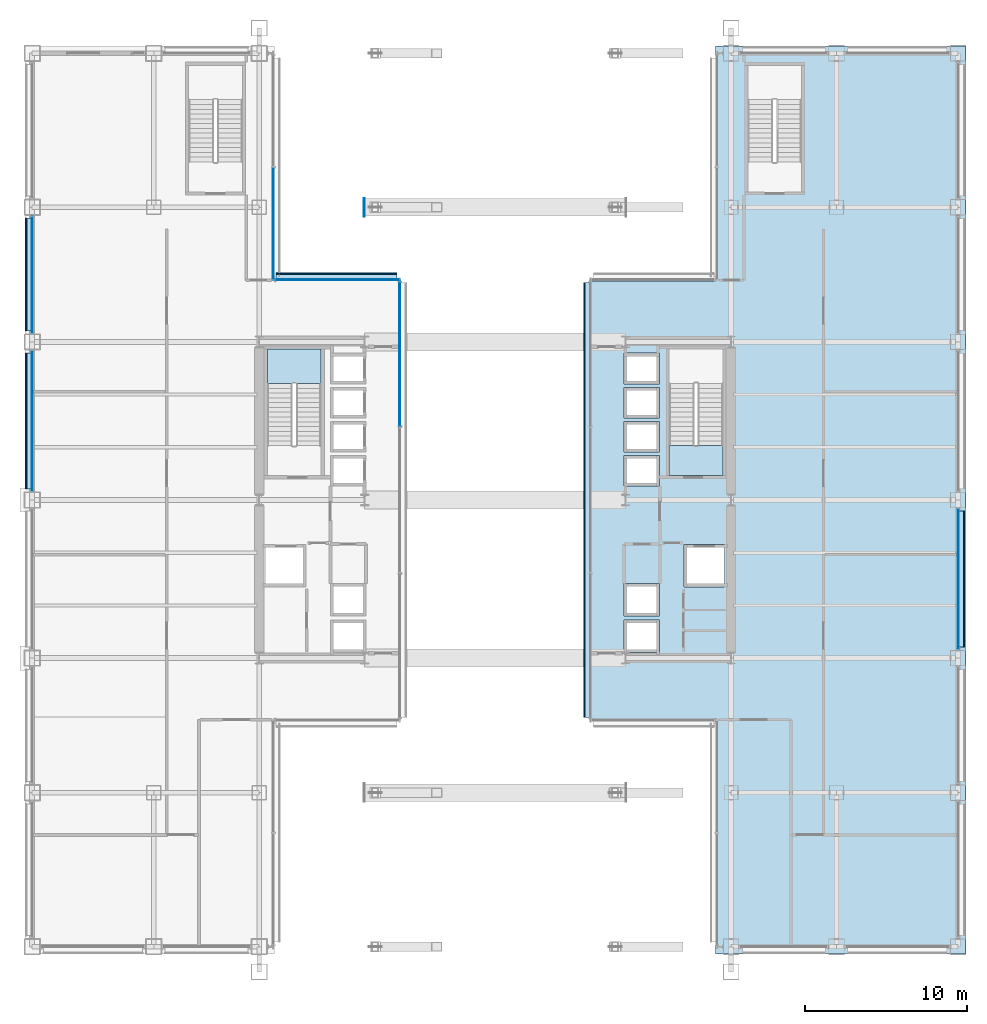
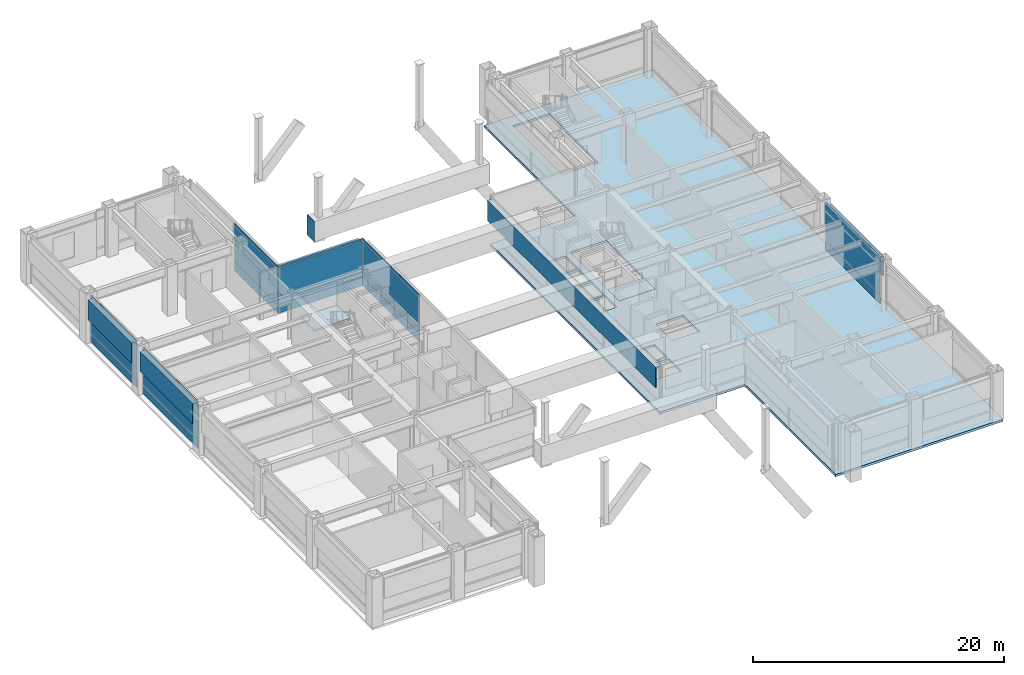
# One storey, part 32 of 42: 23 plates, 3 slabs, 7 elements without a shape of their own.
"""IFC4 building model written with IfcOpenShell, lengths in metres."""

from ifc_helpers import new_model, si_unit, direction, frame, origin, origin_2d, place, context, subcontext, project, spatial, polyline, rectangle, outline, extrude, material, layer, layer_set, type_object, element, aggregate, save


model = new_model("IFC4")

# Units and contexts
model_context = context("Model", 3, precision=1e-05, world=origin(), true_north=direction((0.0, 1.0)))
body_context = subcontext(model_context, "Body", "Model", "MODEL_VIEW")
ifc_project = project(units=[si_unit("LENGTHUNIT", "METRE"), si_unit("AREAUNIT", "SQUARE_METRE"), si_unit("VOLUMEUNIT", "CUBIC_METRE"), si_unit("PLANEANGLEUNIT", "RADIAN"), si_unit("MASSUNIT", "GRAM", prefix="KILO")], contexts=[model_context])

# Site, building, storey
site_placement = place(None, origin())
site = spatial("IfcSite", under=ifc_project, at=site_placement, CompositionType="ELEMENT")
building_placement = place(site_placement, origin())
building = spatial("IfcBuilding", under=site, at=building_placement, Name="Brelmoor Portico Tower", CompositionType="ELEMENT")
storey_placement = place(building_placement, frame((0.0, 0.0, 9.60009765625)))
storey = spatial("IfcBuildingStorey", under=building, at=storey_placement, Name="L02", CompositionType="ELEMENT", Elevation=9.60009765625)

# Plate
ifc_material_1 = material(Name="Steel Q355B", Category="steel")
ifc_layer_1 = layer(ifc_material_1, 0.044921875)
ifc_layer_set_1 = layer_set([ifc_layer_1], Name="Steel Q355B")
plate_type_1 = type_object("IfcPlateType", Name="PT-CAP-650", PredefinedType="SHEET", material=ifc_layer_set_1)
plate_1_placement = place(storey_placement, frame((-8.070068359375, 18.050048828125, 2.60986328125), z_axis=(0.0, 0.0, 1.0), x_axis=(1.0, 0.0, 0.0)))
element("IfcPlate", 1, at=plate_1_placement, inside=storey, type_object=plate_type_1, Name="L02 Portico Arch Transfer Box End Cap Plate 05-W", PredefinedType="SHEET", context=body_context, shape_type="SweptSolid", body=[
    extrude(rectangle(XDim=0.0400390625, YDim=1.139892578125, at=origin_2d()), origin(), (0.0, 0.0, 1.0), 1.989990234375),
])

# Curtain wall, plate
ifc_material_2 = material(Name="Anodised Aluminium Alloy 6063-T6", Category="aluminium")
ifc_layer_2 = layer(ifc_material_2, 0.179931640625)
ifc_layer_set_2 = layer_set([ifc_layer_2], Name="Anodised Aluminium Alloy 6063-T6")
curtain_wall_type = type_object("IfcCurtainWallType", Name="CW-PODIUM-ARCH", PredefinedType="NOTDEFINED", material=ifc_layer_set_2)
curtain_wall_1_placement = place(storey_placement, origin())
curtain_wall_1 = element("IfcCurtainWall", 2, at=curtain_wall_1_placement, inside=storey, type_object=curtain_wall_type, Name="L02 Curtain Wall CW-L02-05-4", PredefinedType="NOTDEFINED")
ifc_material_3 = material(Name="Double-Silver Low-E Insulated Glazing", Category="glass")
ifc_layer_3 = layer(ifc_material_3, 0.035888671875)
ifc_layer_set_3 = layer_set([ifc_layer_3], Name="Double-Silver Low-E Insulated Glazing")
plate_type_2 = type_object("IfcPlateType", Name="PT-CW-GLASS", PredefinedType="CURTAIN_PANEL", material=ifc_layer_set_3)
plate_2_placement = place(storey_placement, frame((-28.550048828125, 4.875, 0.849853515625), z_axis=(0.0, 0.0, 1.0), x_axis=(0.0, 1.0, 0.0)))
plate_2 = element("IfcPlate", 3, at=plate_2_placement, type_object=plate_type_2, Name="CW-L02-05-4 Vision Glass Panel 00", PredefinedType="CURTAIN_PANEL", context=body_context, shape_type="SweptSolid", body=[
    extrude(rectangle(XDim=8.699951171875, YDim=0.035888671875, at=origin_2d()), origin(), (0.0, 0.0, 1.0), 3.72998046875),
])

curtain_wall_2_placement = place(storey_placement, origin())
curtain_wall_2 = element("IfcCurtainWall", 4, at=curtain_wall_2_placement, inside=storey, type_object=curtain_wall_type, Name="L02 Curtain Wall CW-L02-05-5", PredefinedType="NOTDEFINED")
plate_3_placement = place(storey_placement, frame((-28.550048828125, 13.89990234375, 0.849853515625), z_axis=(0.0, 0.0, 1.0), x_axis=(0.0, 1.0, 0.0)))
plate_3 = element("IfcPlate", 5, at=plate_3_placement, type_object=plate_type_2, Name="CW-L02-05-5 Vision Glass Panel 00", PredefinedType="CURTAIN_PANEL", context=body_context, shape_type="SweptSolid", body=[
    extrude(rectangle(XDim=7.25, YDim=0.035888671875, at=origin_2d()), origin(), (0.0, 0.0, 1.0), 3.72998046875),
])

curtain_wall_3_placement = place(storey_placement, origin())
curtain_wall_3 = element("IfcCurtainWall", 6, at=curtain_wall_3_placement, inside=storey, type_object=curtain_wall_type, Name="L02 Curtain Wall CW-L02-06-3", PredefinedType="NOTDEFINED")
plate_4_placement = place(storey_placement, frame((28.550048828125, -4.875, 0.849853515625), z_axis=(0.0, 0.0, 1.0), x_axis=(0.0, 1.0, 0.0)))
plate_4 = element("IfcPlate", 7, at=plate_4_placement, type_object=plate_type_2, Name="CW-L02-06-3 Vision Glass Panel 00", PredefinedType="CURTAIN_PANEL", context=body_context, shape_type="SweptSolid", body=[
    extrude(rectangle(XDim=8.699951171875, YDim=0.035888671875, at=origin_2d()), origin(), (0.0, 0.0, 1.0), 3.72998046875),
])

curtain_wall_4_placement = place(storey_placement, origin())
curtain_wall_4 = element("IfcCurtainWall", 8, at=curtain_wall_4_placement, inside=storey, type_object=curtain_wall_type, Name="L02 Curtain Wall CW-L02-09", PredefinedType="NOTDEFINED")
plate_5_placement = place(storey_placement, frame((-13.679931640625, 17.047607421875, 0.849853515625), z_axis=(0.0, 0.0, 1.0), x_axis=(0.0, 1.0, 0.0)))
plate_5 = element("IfcPlate", 9, at=plate_5_placement, type_object=plate_type_2, Name="CW-L02-09 Vision Glass Panel 00", PredefinedType="CURTAIN_PANEL", context=body_context, shape_type="SweptSolid", body=[
    extrude(rectangle(XDim=6.905029296875, YDim=0.035888671875, at=origin_2d()), origin(), (0.0, 0.0, 1.0), 3.72998046875),
])

curtain_wall_5_placement = place(storey_placement, origin())
curtain_wall_5 = element("IfcCurtainWall", 10, at=curtain_wall_5_placement, inside=storey, type_object=curtain_wall_type, Name="L02 Curtain Wall CW-L02-13", PredefinedType="NOTDEFINED")
plate_6_placement = place(storey_placement, frame((-9.780029296875, 13.580078125, 0.849853515625), z_axis=(0.0, 0.0, 1.0), x_axis=(1.0, 0.0, 0.0)))
plate_6 = element("IfcPlate", 11, at=plate_6_placement, type_object=plate_type_2, Name="CW-L02-13 Vision Glass Panel 00", PredefinedType="CURTAIN_PANEL", context=body_context, shape_type="SweptSolid", body=[
    extrude(rectangle(XDim=7.77001953125, YDim=0.035888671875, at=origin_2d()), origin(), (0.0, 0.0, 1.0), 3.72998046875),
])

curtain_wall_6_placement = place(storey_placement, origin())
curtain_wall_6 = element("IfcCurtainWall", 12, at=curtain_wall_6_placement, inside=storey, type_object=curtain_wall_type, Name="L02 Curtain Wall CW-L02-15", PredefinedType="NOTDEFINED")
plate_7_placement = place(storey_placement, frame((-5.8798828125, 9.05322265625, 0.849853515625), z_axis=(0.0, 0.0, 1.0), x_axis=(0.0, 1.0, 0.0)))
plate_7 = element("IfcPlate", 13, at=plate_7_placement, type_object=plate_type_2, Name="CW-L02-15 Vision Glass Panel 02", PredefinedType="CURTAIN_PANEL", context=body_context, shape_type="SweptSolid", body=[
    extrude(rectangle(XDim=9.023193359375, YDim=0.035888671875, at=origin_2d()), origin(), (0.0, 0.0, 1.0), 3.72998046875),
])

# Plate
ifc_material_4 = material(Name="Pale Champagne Anodised Aluminium Panel", Category="aluminium")
ifc_layer_4 = layer(ifc_material_4, 0.050048828125)
ifc_layer_set_4 = layer_set([ifc_layer_4], Name="Pale Champagne Anodised Aluminium Panel")
plate_type_3 = type_object("IfcPlateType", Name="PT-CW-SPANDREL", PredefinedType="SHEET", material=ifc_layer_set_4)
plate_8_placement = place(storey_placement, frame((-28.550048828125, 4.875, -0.000244140625), z_axis=(0.0, 0.0, 1.0), x_axis=(0.0, 1.0, 0.0)))
plate_8 = element("IfcPlate", 14, at=plate_8_placement, type_object=plate_type_3, Name="CW-L02-05-4 Spandrel Panel 00", PredefinedType="SHEET", context=body_context, shape_type="SweptSolid", body=[
    extrude(rectangle(XDim=8.699951171875, YDim=0.050048828125, at=origin_2d()), origin(), (0.0, 0.0, 1.0), 0.85009765625),
])

aggregate(curtain_wall_1, [plate_8, plate_2])

plate_9_placement = place(storey_placement, frame((-28.550048828125, 13.89990234375, -0.000244140625), z_axis=(0.0, 0.0, 1.0), x_axis=(0.0, 1.0, 0.0)))
plate_9 = element("IfcPlate", 15, at=plate_9_placement, type_object=plate_type_3, Name="CW-L02-05-5 Spandrel Panel 00", PredefinedType="SHEET", context=body_context, shape_type="SweptSolid", body=[
    extrude(rectangle(XDim=7.25, YDim=0.050048828125, at=origin_2d()), origin(), (0.0, 0.0, 1.0), 0.85009765625),
])

aggregate(curtain_wall_2, [plate_9, plate_3])

plate_10_placement = place(storey_placement, frame((28.550048828125, -4.875, -0.000244140625), z_axis=(0.0, 0.0, 1.0), x_axis=(0.0, 1.0, 0.0)))
plate_10 = element("IfcPlate", 16, at=plate_10_placement, type_object=plate_type_3, Name="CW-L02-06-3 Spandrel Panel 00", PredefinedType="SHEET", context=body_context, shape_type="SweptSolid", body=[
    extrude(rectangle(XDim=8.699951171875, YDim=0.050048828125, at=origin_2d()), origin(), (0.0, 0.0, 1.0), 0.85009765625),
])

aggregate(curtain_wall_3, [plate_10, plate_4])

plate_11_placement = place(storey_placement, frame((-13.679931640625, 17.047607421875, -0.000244140625), z_axis=(0.0, 0.0, 1.0), x_axis=(0.0, 1.0, 0.0)))
plate_11 = element("IfcPlate", 17, at=plate_11_placement, type_object=plate_type_3, Name="CW-L02-09 Spandrel Panel 00", PredefinedType="SHEET", context=body_context, shape_type="SweptSolid", body=[
    extrude(rectangle(XDim=6.905029296875, YDim=0.050048828125, at=origin_2d()), origin(), (0.0, 0.0, 1.0), 0.85009765625),
])

aggregate(curtain_wall_4, [plate_11, plate_5])

plate_12_placement = place(storey_placement, frame((-9.780029296875, 13.580078125, -0.000244140625), z_axis=(0.0, 0.0, 1.0), x_axis=(1.0, 0.0, 0.0)))
plate_12 = element("IfcPlate", 18, at=plate_12_placement, type_object=plate_type_3, Name="CW-L02-13 Spandrel Panel 00", PredefinedType="SHEET", context=body_context, shape_type="SweptSolid", body=[
    extrude(rectangle(XDim=7.77001953125, YDim=0.050048828125, at=origin_2d()), origin(), (0.0, 0.0, 1.0), 0.85009765625),
])

aggregate(curtain_wall_5, [plate_12, plate_6])

plate_13_placement = place(storey_placement, frame((-5.8798828125, 9.05322265625, -0.000244140625), z_axis=(0.0, 0.0, 1.0), x_axis=(0.0, 1.0, 0.0)))
plate_13 = element("IfcPlate", 19, at=plate_13_placement, type_object=plate_type_3, Name="CW-L02-15 Spandrel Panel 02", PredefinedType="SHEET", context=body_context, shape_type="SweptSolid", body=[
    extrude(rectangle(XDim=9.023193359375, YDim=0.050048828125, at=origin_2d()), origin(), (0.0, 0.0, 1.0), 0.85009765625),
])

aggregate(curtain_wall_6, [plate_13, plate_7])

# Plates
ifc_material_5 = material(Name="Powder-Coated Aluminium Shuttered Jalousie Louvre", Category="aluminium")
ifc_layer_5 = layer(ifc_material_5, 0.06005859375)
ifc_layer_set_5 = layer_set([ifc_layer_5], Name="Powder-Coated Aluminium Shuttered Jalousie Louvre")
plate_type_4 = type_object("IfcPlateType", Name="PT-JALOUSIE-SHUTTER", PredefinedType="SHEET", material=ifc_layer_set_5)
plate_14_placement = place(storey_placement, frame((-28.929931640625, 4.875, 2.4404296875), z_axis=(0.0, 0.0, 1.0), x_axis=(0.0, 1.0, 0.0)))
element("IfcPlate", 20, at=plate_14_placement, inside=storey, type_object=plate_type_4, Name="CW-L02-05-4 Perforated Jalousie Solar Screen", PredefinedType="SHEET", context=body_context, shape_type="SweptSolid", body=[
    extrude(rectangle(XDim=8.3701171875, YDim=0.06494140625, at=origin_2d()), origin(), (0.0, 0.0, 1.0), 1.939697265625),
])
plate_15_placement = place(storey_placement, frame((-28.929931640625, 13.89990234375, 2.4404296875), z_axis=(0.0, 0.0, 1.0), x_axis=(0.0, 1.0, 0.0)))
element("IfcPlate", 21, at=plate_15_placement, inside=storey, type_object=plate_type_4, Name="CW-L02-05-5 Perforated Jalousie Solar Screen", PredefinedType="SHEET", context=body_context, shape_type="SweptSolid", body=[
    extrude(rectangle(XDim=6.919921875, YDim=0.06494140625, at=origin_2d()), origin(), (0.0, 0.0, 1.0), 1.939697265625),
])
plate_16_placement = place(storey_placement, frame((28.929931640625, -4.875, 2.4404296875), z_axis=(0.0, 0.0, 1.0), x_axis=(0.0, 1.0, 0.0)))
element("IfcPlate", 22, at=plate_16_placement, inside=storey, type_object=plate_type_4, Name="CW-L02-06-3 Perforated Jalousie Solar Screen", PredefinedType="SHEET", context=body_context, shape_type="SweptSolid", body=[
    extrude(rectangle(XDim=8.3701171875, YDim=0.06494140625, at=origin_2d()), origin(), (0.0, 0.0, 1.0), 1.939697265625),
])
plate_17_placement = place(storey_placement, frame((-9.780029296875, 13.9599609375, 2.4404296875), z_axis=(0.0, 0.0, 1.0), x_axis=(1.0, 0.0, 0.0)))
element("IfcPlate", 23, at=plate_17_placement, inside=storey, type_object=plate_type_4, Name="CW-L02-13 Perforated Jalousie Solar Screen", PredefinedType="SHEET", context=body_context, shape_type="SweptSolid", body=[
    extrude(rectangle(XDim=7.43994140625, YDim=0.06494140625, at=origin_2d()), origin(), (0.0, 0.0, 1.0), 1.939697265625),
])
plate_18_placement = place(storey_placement, frame((5.5, 0.0, 2.4404296875), z_axis=(0.0, 0.0, 1.0), x_axis=(0.0, 1.0, 0.0)))
element("IfcPlate", 24, at=plate_18_placement, inside=storey, type_object=plate_type_4, Name="CW-L02-16 Perforated Jalousie Solar Screen", PredefinedType="SHEET", context=body_context, shape_type="SweptSolid", body=[
    extrude(rectangle(XDim=26.800048828125, YDim=0.06494140625, at=origin_2d()), origin(), (0.0, 0.0, 1.0), 1.939697265625),
])
ifc_material_6 = material(Name="Pale Champagne Perforated Aluminium Solar Screen", Category="aluminium")
ifc_layer_6 = layer(ifc_material_6, 0.054931640625)
ifc_layer_set_6 = layer_set([ifc_layer_6], Name="Pale Champagne Perforated Aluminium Solar Screen")
plate_type_5 = type_object("IfcPlateType", Name="PT-SOLAR-LOUVRE", PredefinedType="SHEET", material=ifc_layer_set_6)
plate_19_placement = place(storey_placement, frame((-28.760009765625, 4.875, 4.27001953125), z_axis=(0.0, 0.0, 1.0), x_axis=(0.0, 1.0, 0.0)))
element("IfcPlate", 25, at=plate_19_placement, inside=storey, type_object=plate_type_5, Name="CW-L02-05-4 Caribbean Brise-Soleil Solar Screen", PredefinedType="SHEET", context=body_context, shape_type="SweptSolid", body=[
    extrude(rectangle(XDim=8.3701171875, YDim=0.4599609375, at=origin_2d()), origin(), (0.0, 0.0, 1.0), 0.139892578125),
])
plate_20_placement = place(storey_placement, frame((-28.760009765625, 13.89990234375, 4.27001953125), z_axis=(0.0, 0.0, 1.0), x_axis=(0.0, 1.0, 0.0)))
element("IfcPlate", 26, at=plate_20_placement, inside=storey, type_object=plate_type_5, Name="CW-L02-05-5 Caribbean Brise-Soleil Solar Screen", PredefinedType="SHEET", context=body_context, shape_type="SweptSolid", body=[
    extrude(rectangle(XDim=6.919921875, YDim=0.4599609375, at=origin_2d()), origin(), (0.0, 0.0, 1.0), 0.139892578125),
])
plate_21_placement = place(storey_placement, frame((28.760009765625, -4.875, 4.27001953125), z_axis=(0.0, 0.0, 1.0), x_axis=(0.0, 1.0, 0.0)))
element("IfcPlate", 27, at=plate_21_placement, inside=storey, type_object=plate_type_5, Name="CW-L02-06-3 Caribbean Brise-Soleil Solar Screen", PredefinedType="SHEET", context=body_context, shape_type="SweptSolid", body=[
    extrude(rectangle(XDim=8.3701171875, YDim=0.4599609375, at=origin_2d()), origin(), (0.0, 0.0, 1.0), 0.139892578125),
])
plate_22_placement = place(storey_placement, frame((-9.780029296875, 13.7900390625, 4.27001953125), z_axis=(0.0, 0.0, 1.0), x_axis=(1.0, 0.0, 0.0)))
element("IfcPlate", 28, at=plate_22_placement, inside=storey, type_object=plate_type_5, Name="CW-L02-13 Caribbean Brise-Soleil Solar Screen", PredefinedType="SHEET", context=body_context, shape_type="SweptSolid", body=[
    extrude(rectangle(XDim=7.43994140625, YDim=0.4599609375, at=origin_2d()), origin(), (0.0, 0.0, 1.0), 0.139892578125),
])
plate_23_placement = place(storey_placement, frame((5.669921875, 0.0, 4.27001953125), z_axis=(0.0, 0.0, 1.0), x_axis=(0.0, 1.0, 0.0)))
element("IfcPlate", 29, at=plate_23_placement, inside=storey, type_object=plate_type_5, Name="CW-L02-16 Caribbean Brise-Soleil Solar Screen", PredefinedType="SHEET", context=body_context, shape_type="SweptSolid", body=[
    extrude(rectangle(XDim=26.800048828125, YDim=0.4599609375, at=origin_2d()), origin(), (0.0, 0.0, 1.0), 0.139892578125),
])

# Slab
ifc_material_7 = material(Name="Concrete C40", Category="concrete")
ifc_layer_7 = layer(ifc_material_7, 0.219970703125)
ifc_layer_set_7 = layer_set([ifc_layer_7], Name="Concrete C40")
slab_type_1 = type_object("IfcSlabType", Name="SL-FLOOR-220", PredefinedType="FLOOR", material=ifc_layer_set_7)
slab_1_placement = place(storey_placement, frame((0.0, 0.0, -0.22021484375)))
element("IfcSlab", 30, at=slab_1_placement, inside=storey, type_object=slab_type_1, Name="L02 East Pier Floor Slab", PredefinedType="FLOOR", context=body_context, shape_type="SweptSolid", body=[
    extrude(outline(polyline([(13.60009765625, -28.0), (29.0, -28.0), (29.0, 28.0), (13.60009765625, 28.0), (13.60009765625, 13.5), (5.800048828125, 13.5), (5.800048828125, -13.5), (13.60009765625, -13.5), (13.60009765625, -28.0)]), holes=[polyline([(14.050048828125, 1.5), (14.050048828125, 9.300048828125), (10.72998046875, 9.300048828125), (10.72998046875, 1.5), (14.050048828125, 1.5)]), polyline([(18.89990234375, 19.0), (18.89990234375, 26.800048828125), (15.580078125, 26.800048828125), (15.580078125, 19.0), (18.89990234375, 19.0)]), polyline([(7.949951171875, 0.85009765625), (10.14990234375, 0.85009765625), (10.14990234375, 2.75), (7.949951171875, 2.75), (7.949951171875, 0.85009765625)]), polyline([(7.949951171875, 2.949951171875), (10.14990234375, 2.949951171875), (10.14990234375, 4.85009765625), (7.949951171875, 4.85009765625), (7.949951171875, 2.949951171875)]), polyline([(7.949951171875, 5.050048828125), (10.14990234375, 5.050048828125), (10.14990234375, 6.949951171875), (7.949951171875, 6.949951171875), (7.949951171875, 5.050048828125)]), polyline([(7.949951171875, 7.14990234375), (10.14990234375, 7.14990234375), (10.14990234375, 9.050048828125), (7.949951171875, 9.050048828125), (7.949951171875, 7.14990234375)]), polyline([(7.949951171875, -9.39990234375), (10.14990234375, -9.39990234375), (10.14990234375, -7.39990234375), (7.949951171875, -7.39990234375), (7.949951171875, -9.39990234375)]), polyline([(7.949951171875, -7.14990234375), (10.14990234375, -7.14990234375), (10.14990234375, -5.14990234375), (7.949951171875, -5.14990234375), (7.949951171875, -7.14990234375)]), polyline([(11.64990234375, -5.35009765625), (14.14990234375, -5.35009765625), (14.14990234375, -2.75), (11.64990234375, -2.75), (11.64990234375, -5.35009765625)])]), origin(), (0.0, 0.0, 1.0), 0.22021484375),
])

# Stair, slab
stair_type = type_object("IfcStairType", Name="ST-CORE-W", PredefinedType="HALF_TURN_STAIR", material=ifc_material_7)
stair_placement = place(storey_placement, origin())
stair = element("IfcStair", 31, at=stair_placement, inside=storey, type_object=stair_type, Name="L02 Protected Core Exit Stair ST-W", PredefinedType="HALF_TURN_STAIR")
ifc_layer_8 = layer(ifc_material_7, 0.179931640625)
ifc_layer_set_8 = layer_set([ifc_layer_8], Name="Concrete C40")
slab_type_2 = type_object("IfcSlabType", Name="SL-LANDING-180", PredefinedType="LANDING", material=ifc_layer_set_8)
slab_2_placement = place(storey_placement, frame((0.0, 0.0, 2.199951171875)))
slab_2 = element("IfcSlab", 32, at=slab_2_placement, type_object=slab_type_2, Name="ST-W landing 1", PredefinedType="LANDING", context=body_context, shape_type="SweptSolid", body=[
    extrude(outline(polyline([(-10.72998046875, 7.18505859375), (-10.72998046875, 9.300048828125), (-14.050048828125, 9.300048828125), (-14.050048828125, 7.18505859375), (-10.72998046875, 7.18505859375)])), origin(), (0.0, 0.0, 1.0), 0.199951171875),
])
aggregate(stair, [slab_2])

# Slab
ifc_layer_9 = layer(ifc_material_7, 0.219970703125)
ifc_layer_set_9 = layer_set([ifc_layer_9], Name="Concrete C40")
slab_type_3 = type_object("IfcSlabType", Name="SL-STAIR-FL220", PredefinedType="LANDING", material=ifc_layer_set_9)
slab_3_placement = place(storey_placement, frame((0.0, 0.0, -0.22021484375)))
element("IfcSlab", 33, at=slab_3_placement, inside=storey, type_object=slab_type_3, Name="L02 ST-E Structural Floor Landing Slab", PredefinedType="LANDING", context=body_context, shape_type="SweptSolid", body=[
    extrude(outline(polyline([(14.050048828125, 1.5), (14.050048828125, 3.35009765625), (10.72998046875, 3.35009765625), (10.72998046875, 1.5), (14.050048828125, 1.5)])), origin(), (0.0, 0.0, 1.0), 0.22021484375),
])

save(model, "model.ifc")
